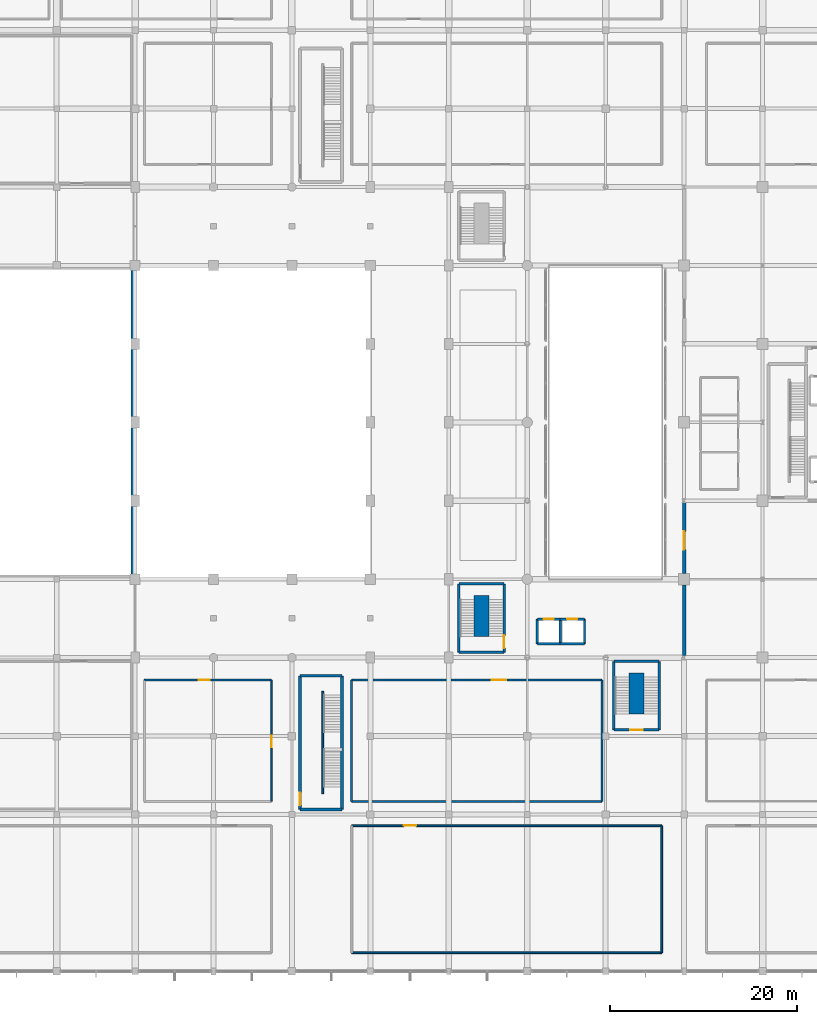
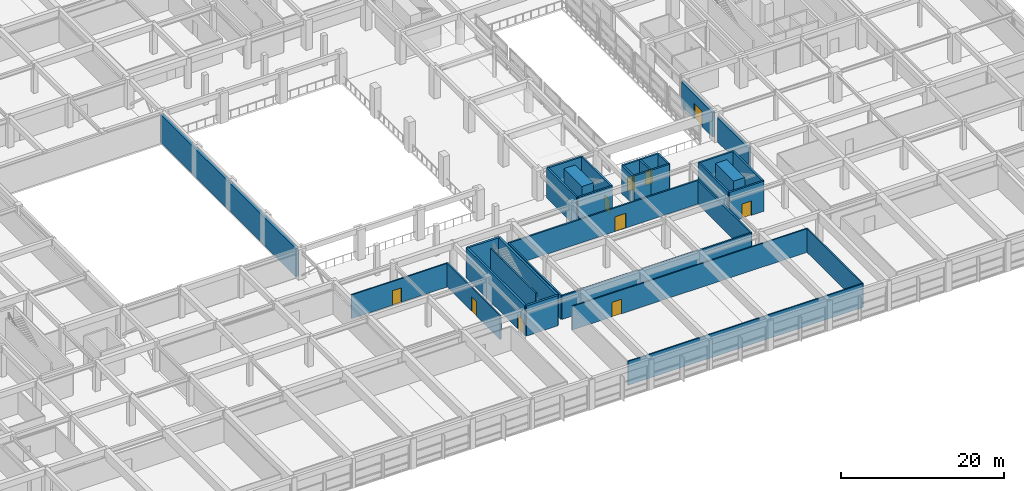
# One storey, part 52 of 65: 34 walls, 10 doors, 10 openings.
"""IFC4 building model written with IfcOpenShell, lengths in metres."""

from ifc_helpers import new_model, si_unit, direction, frame, frame_2d, origin, place, context, subcontext, project, spatial, rectangle, extrude, material, layer, layer_set, type_object, element, fill, save


model = new_model("IFC4")

# Units and contexts
model_context = context("Model", 3, precision=1e-05, world=origin(), true_north=direction((0.0, 1.0)))
body_context = subcontext(model_context, "Body", "Model", "MODEL_VIEW")
ifc_project = project(units=[si_unit("LENGTHUNIT", "METRE"), si_unit("AREAUNIT", "SQUARE_METRE"), si_unit("VOLUMEUNIT", "CUBIC_METRE"), si_unit("PLANEANGLEUNIT", "RADIAN"), si_unit("MASSUNIT", "GRAM", prefix="KILO")], contexts=[model_context])

# Site, building, storey
site_placement = place(None, origin())
site = spatial("IfcSite", under=ifc_project, at=site_placement, CompositionType="ELEMENT")
building_placement = place(site_placement, origin())
building = spatial("IfcBuilding", under=site, at=building_placement, Name="Xuanlan Plaza Opera House", CompositionType="ELEMENT")
storey_placement = place(building_placement, frame((0.0, 0.0, 5.39990234375)))
storey = spatial("IfcBuildingStorey", under=building, at=storey_placement, Name="L01", CompositionType="ELEMENT", Elevation=5.39990234375)

# Wall
ifc_material_1 = material(Name="Gypsum Board and Galvanised Steel Studs", Category="gypsum")
ifc_layer_1 = layer(ifc_material_1, 0.179931640625)
ifc_layer_set_1 = layer_set([ifc_layer_1], Name="Gypsum Board and Galvanised Steel Studs")
wall_type_1 = type_object("IfcWallType", Name="INT-WL-PW-02", PredefinedType="PARTITIONING", material=ifc_layer_set_1)
wall_1_placement = place(storey_placement, frame((90.39990234375, 2.0, 0.0), z_axis=(0.0, 0.0, 1.0), x_axis=(1.0, 0.0, 0.0)))
element("IfcWall", 1, at=wall_1_placement, inside=storey, type_object=wall_type_1, Name="Stage Drapery and Backdrop Store Wall South", PredefinedType="PARTITIONING", context=body_context, shape_type="SweptSolid", body=[
    extrude(rectangle(XDim=33.2001953125, YDim=0.179931640625, at=frame_2d((16.60009765625, 0.0))), origin(), (0.0, 0.0, 1.0), 3.5400390625),
])

# Wall, opening, door
wall_2_placement = place(storey_placement, frame((90.39990234375, 15.60009765625, 0.0), z_axis=(0.0, 0.0, 1.0), x_axis=(1.0, 0.0, 0.0)))
wall_2 = element("IfcWall", 2, at=wall_2_placement, inside=storey, type_object=wall_type_1, Name="Stage Drapery and Backdrop Store Wall North", PredefinedType="PARTITIONING", context=body_context, shape_type="SweptSolid", body=[
    extrude(rectangle(XDim=33.2001953125, YDim=0.179931640625, at=frame_2d((16.60009765625, 0.0))), origin(), (0.0, 0.0, 1.0), 3.5400390625),
])
opening_1_placement = place(wall_2_placement, frame((5.60009765625, 0.0, 0.0)))
opening_1 = element("IfcOpeningElement", 3, at=opening_1_placement, cuts=wall_2, Name="Opening D-07", PredefinedType="OPENING", context=body_context, shape_type="SweptSolid", body=[
    extrude(rectangle(XDim=1.320068359375, YDim=2.179931640625, at=frame_2d((0.66015625, 1.08984375))), frame((0.0, 0.099853515625, 0.0), z_axis=(0.0, -1.0, 0.0), x_axis=(1.0, 0.0, 0.0)), (0.0, 0.0, 1.0), 0.199951171875),
])
ifc_material_2 = material(Name="Walnut Hardwood Timber", Category="wood")
door_type_1 = type_object("IfcDoorType", Name="INT-DR-D-07", OperationType="NOTDEFINED", PredefinedType="DOOR", material=ifc_material_2)
door_1_placement = place(opening_1_placement, origin())
door_1 = element("IfcDoor", 4, at=door_1_placement, inside=storey, type_object=door_type_1, Name="Stage Drapery and Backdrop Store Door 1", OperationType="SINGLE_SWING_RIGHT", OverallHeight=2.179931640625, OverallWidth=1.320068359375, PredefinedType="DOOR", context=body_context, shape_type="SweptSolid", body=[
    extrude(rectangle(XDim=1.320068359375, YDim=2.179931640625, at=frame_2d((0.66015625, 1.08984375))), frame((0.0, 0.02490234375, 0.0), z_axis=(0.0, -1.0, 0.0), x_axis=(1.0, 0.0, 0.0)), (0.0, 0.0, 1.0), 0.050048828125),
])
fill(opening_1, door_1)

# Wall
wall_3_placement = place(storey_placement, frame((123.60009765625, 2.0, 0.0), z_axis=(0.0, 0.0, 1.0), x_axis=(0.0, 1.0, 0.0)))
element("IfcWall", 5, at=wall_3_placement, inside=storey, type_object=wall_type_1, Name="Stage Drapery and Backdrop Store Wall East", PredefinedType="PARTITIONING", context=body_context, shape_type="SweptSolid", body=[
    extrude(rectangle(XDim=13.60009765625, YDim=0.179931640625, at=frame_2d((6.800048828125, 0.0))), origin(), (0.0, 0.0, 1.0), 3.5400390625),
])

# Wall, opening, door
wall_4_placement = place(storey_placement, frame((68.199951171875, 31.199951171875, 0.0), z_axis=(0.0, 0.0, 1.0), x_axis=(1.0, 0.0, 0.0)))
wall_4 = element("IfcWall", 6, at=wall_4_placement, inside=storey, type_object=wall_type_1, Name="Make-up and Prosthetics Studio Wall North", PredefinedType="PARTITIONING", context=body_context, shape_type="SweptSolid", body=[
    extrude(rectangle(XDim=13.60009765625, YDim=0.179931640625, at=frame_2d((6.800048828125, 0.0))), origin(), (0.0, 0.0, 1.0), 3.5400390625),
])
opening_2_placement = place(wall_4_placement, frame((5.800048828125, 0.0, 0.0)))
opening_2 = element("IfcOpeningElement", 7, at=opening_2_placement, cuts=wall_4, Name="Opening D-05", PredefinedType="OPENING", context=body_context, shape_type="SweptSolid", body=[
    extrude(rectangle(XDim=1.219970703125, YDim=2.14990234375, at=frame_2d((0.60986328125, 1.074951171875))), frame((0.0, 0.099853515625, 0.0), z_axis=(0.0, -1.0, 0.0), x_axis=(1.0, 0.0, 0.0)), (0.0, 0.0, 1.0), 0.199951171875),
])
door_type_2 = type_object("IfcDoorType", Name="INT-DR-D-05", OperationType="NOTDEFINED", PredefinedType="DOOR", material=ifc_material_2)
door_2_placement = place(opening_2_placement, origin())
door_2 = element("IfcDoor", 8, at=door_2_placement, inside=storey, type_object=door_type_2, Name="Make-up and Prosthetics Studio Door 1", OperationType="SINGLE_SWING_RIGHT", OverallHeight=2.14990234375, OverallWidth=1.219970703125, PredefinedType="DOOR", context=body_context, shape_type="SweptSolid", body=[
    extrude(rectangle(XDim=1.219970703125, YDim=2.14990234375, at=frame_2d((0.60986328125, 1.074951171875))), frame((0.0, 0.02490234375, 0.0), z_axis=(0.0, -1.0, 0.0), x_axis=(1.0, 0.0, 0.0)), (0.0, 0.0, 1.0), 0.050048828125),
])
fill(opening_2, door_2)

wall_5_placement = place(storey_placement, frame((81.800048828125, 18.199951171875, 0.0), z_axis=(0.0, 0.0, 1.0), x_axis=(0.0, 1.0, 0.0)))
wall_5 = element("IfcWall", 9, at=wall_5_placement, inside=storey, type_object=wall_type_1, Name="Make-up and Prosthetics Studio Wall East", PredefinedType="PARTITIONING", context=body_context, shape_type="SweptSolid", body=[
    extrude(rectangle(XDim=13.0, YDim=0.179931640625, at=frame_2d((6.5, 0.0))), origin(), (0.0, 0.0, 1.0), 3.5400390625),
])
opening_3_placement = place(wall_5_placement, frame((5.800048828125, 0.0, 0.0)))
opening_3 = element("IfcOpeningElement", 10, at=opening_3_placement, cuts=wall_5, Name="Opening D-05", PredefinedType="OPENING", context=body_context, shape_type="SweptSolid", body=[
    extrude(rectangle(XDim=1.219970703125, YDim=2.14990234375, at=frame_2d((0.60986328125, 1.074951171875))), frame((0.0, 0.099853515625, 0.0), z_axis=(0.0, -1.0, 0.0), x_axis=(1.0, 0.0, 0.0)), (0.0, 0.0, 1.0), 0.199951171875),
])
door_3_placement = place(opening_3_placement, origin())
door_3 = element("IfcDoor", 11, at=door_3_placement, inside=storey, type_object=door_type_2, Name="Make-up and Prosthetics Studio Door 1", OperationType="SINGLE_SWING_RIGHT", OverallHeight=2.14990234375, OverallWidth=1.219970703125, PredefinedType="DOOR", context=body_context, shape_type="SweptSolid", body=[
    extrude(rectangle(XDim=1.219970703125, YDim=2.14990234375, at=frame_2d((0.60986328125, 1.074951171875))), frame((0.0, 0.02490234375, 0.0), z_axis=(0.0, -1.0, 0.0), x_axis=(1.0, 0.0, 0.0)), (0.0, 0.0, 1.0), 0.050048828125),
])
fill(opening_3, door_3)

# Wall
ifc_material_3 = material(Name="Autoclaved Aerated Blockwork Masonry", Category="masonry")
ifc_layer_2 = layer(ifc_material_3, 0.219970703125)
ifc_layer_set_2 = layer_set([ifc_layer_2], Name="Autoclaved Aerated Blockwork Masonry")
wall_type_2 = type_object("IfcWallType", Name="INT-WL-PW-06", PredefinedType="PARTITIONING", material=ifc_layer_set_2)
wall_6_placement = place(storey_placement, frame((90.39990234375, 18.199951171875, 0.0), z_axis=(0.0, 0.0, 1.0), x_axis=(1.0, 0.0, 0.0)))
element("IfcWall", 12, at=wall_6_placement, inside=storey, type_object=wall_type_2, Name="Opera Stage Management Office Wall South", PredefinedType="PARTITIONING", context=body_context, shape_type="SweptSolid", body=[
    extrude(rectangle(XDim=26.800048828125, YDim=0.219970703125, at=frame_2d((13.39990234375, 0.0))), origin(), (0.0, 0.0, 1.0), 3.5400390625),
])

# Wall, opening, door
wall_7_placement = place(storey_placement, frame((90.39990234375, 31.199951171875, 0.0), z_axis=(0.0, 0.0, 1.0), x_axis=(1.0, 0.0, 0.0)))
wall_7 = element("IfcWall", 13, at=wall_7_placement, inside=storey, type_object=wall_type_2, Name="Opera Stage Management Office Wall North", PredefinedType="PARTITIONING", context=body_context, shape_type="SweptSolid", body=[
    extrude(rectangle(XDim=26.800048828125, YDim=0.219970703125, at=frame_2d((13.39990234375, 0.0))), origin(), (0.0, 0.0, 1.0), 3.5400390625),
])
opening_4_placement = place(wall_7_placement, frame((15.0, 0.0, 0.0)))
opening_4 = element("IfcOpeningElement", 14, at=opening_4_placement, cuts=wall_7, Name="Opening D-13", PredefinedType="OPENING", context=body_context, shape_type="SweptSolid", body=[
    extrude(rectangle(XDim=1.56005859375, YDim=2.199951171875, at=frame_2d((0.780029296875, 1.10009765625))), frame((0.0, 0.119873046875, 0.0), z_axis=(0.0, -1.0, 0.0), x_axis=(1.0, 0.0, 0.0)), (0.0, 0.0, 1.0), 0.239990234375),
])
door_type_3 = type_object("IfcDoorType", Name="INT-DR-D-13", OperationType="DOUBLE_DOOR_SINGLE_SWING", PredefinedType="DOOR", material=ifc_material_2)
door_4_placement = place(opening_4_placement, origin())
door_4 = element("IfcDoor", 15, at=door_4_placement, inside=storey, type_object=door_type_3, Name="Opera Stage Management Office Door 1", OperationType="DOUBLE_DOOR_SINGLE_SWING", OverallHeight=2.199951171875, OverallWidth=1.56005859375, PredefinedType="DOOR", context=body_context, shape_type="SweptSolid", body=[
    extrude(rectangle(XDim=1.56005859375, YDim=2.199951171875, at=frame_2d((0.780029296875, 1.10009765625))), frame((0.0, 0.02490234375, 0.0), z_axis=(0.0, -1.0, 0.0), x_axis=(1.0, 0.0, 0.0)), (0.0, 0.0, 1.0), 0.050048828125),
])
fill(opening_4, door_4)

# Walls
for number, where, z_axis, x_axis, name in (
    (16, (90.39990234375, 18.199951171875, 0.0), (0.0, 0.0, 1.0), (0.0, 1.0, 0.0), "Opera Stage Management Office Wall West"),
    (17, (117.199951171875, 18.199951171875, 0.0), (0.0, 0.0, 1.0), (0.0, 1.0, 0.0), "Opera Stage Management Office Wall East"),
):
    element("IfcWall", number, at=place(storey_placement, frame(where, z_axis=z_axis, x_axis=x_axis)), inside=storey, type_object=wall_type_2, Name=name, PredefinedType="PARTITIONING", context=body_context, shape_type="SweptSolid", body=[
        extrude(rectangle(XDim=13.0, YDim=0.219970703125, at=frame_2d((6.5, 0.0))), origin(), (0.0, 0.0, 1.0), 3.5400390625),
    ])
ifc_material_4 = material(Name="Concrete C50", Category="concrete")
ifc_layer_3 = layer(ifc_material_4, 0.3798828125)
ifc_layer_set_3 = layer_set([ifc_layer_3], Name="Concrete C50")
wall_type_3 = type_object("IfcWallType", Name="INT-WL-SW-FW1", PredefinedType="SHEAR", material=ifc_layer_set_3)
wall_8_placement = place(storey_placement, frame((126.0, 33.806884765625, 0.0), z_axis=(0.0, 0.0, 1.0), x_axis=(0.0, 1.0, 0.0)))
element("IfcWall", 18, at=wall_8_placement, inside=storey, type_object=wall_type_3, Name="Opera-Tower Compartment Firewall L01-01", PredefinedType="SHEAR", context=body_context, shape_type="SweptSolid", body=[
    extrude(rectangle(XDim=7.593017578125, YDim=0.3798828125, at=frame_2d((3.79638671875, 0.0))), origin(), (0.0, 0.0, 1.0), 3.650146484375),
])

# Wall, opening, door
wall_9_placement = place(storey_placement, frame((126.0, 42.60009765625, 0.0), z_axis=(0.0, 0.0, 1.0), x_axis=(0.0, 1.0, 0.0)))
wall_9 = element("IfcWall", 19, at=wall_9_placement, inside=storey, type_object=wall_type_3, Name="Opera-Tower Compartment Firewall L01-02", PredefinedType="SHEAR", context=body_context, shape_type="SweptSolid", body=[
    extrude(rectangle(XDim=7.593017578125, YDim=0.3798828125, at=frame_2d((3.79638671875, 0.0))), origin(), (0.0, 0.0, 1.0), 3.650146484375),
])
opening_5_placement = place(wall_9_placement, frame((2.574951171875, 0.0, 0.0)))
opening_5 = element("IfcOpeningElement", 20, at=opening_5_placement, cuts=wall_9, Name="Opening FD-04", PredefinedType="OPENING", context=body_context, shape_type="SweptSolid", body=[
    extrude(rectangle(XDim=1.949951171875, YDim=2.300048828125, at=frame_2d((0.97509765625, 1.14990234375))), frame((0.0, 0.199951171875, 0.0), z_axis=(0.0, -1.0, 0.0), x_axis=(1.0, 0.0, 0.0)), (0.0, 0.0, 1.0), 0.39990234375),
])
ifc_material_5 = material(Name="Galvanised Steel Q235B", Category="steel")
door_type_4 = type_object("IfcDoorType", Name="INT-DR-FD-04", OperationType="DOUBLE_DOOR_SINGLE_SWING", PredefinedType="DOOR", material=ifc_material_5)
door_5_placement = place(opening_5_placement, origin())
door_5 = element("IfcDoor", 21, at=door_5_placement, inside=storey, type_object=door_type_4, Name="Compartment Firewall Door L01-02", OperationType="DOUBLE_DOOR_SINGLE_SWING", OverallHeight=2.300048828125, OverallWidth=1.949951171875, PredefinedType="DOOR", context=body_context, shape_type="SweptSolid", body=[
    extrude(rectangle(XDim=1.949951171875, YDim=2.300048828125, at=frame_2d((0.97509765625, 1.14990234375))), frame((0.0, 0.02490234375, 0.0), z_axis=(0.0, -1.0, 0.0), x_axis=(1.0, 0.0, 0.0)), (0.0, 0.0, 1.0), 0.050048828125),
])
fill(opening_5, door_5)

# Walls
wall_10_placement = place(storey_placement, frame((66.949951171875, 42.25, 0.0), z_axis=(0.0, 0.0, 1.0), x_axis=(0.0, 1.0, 0.0)))
element("IfcWall", 22, at=wall_10_placement, inside=storey, type_object=wall_type_3, Name="Proscenium and Fly Shaft Wall L01-E", PredefinedType="SHEAR", context=body_context, shape_type="SweptSolid", body=[
    extrude(rectangle(XDim=33.10009765625, YDim=0.3798828125, at=frame_2d((16.550048828125, 0.0))), origin(), (0.0, 0.0, 1.0), 4.2001953125),
])
ifc_material_6 = material(Name="Concrete C40", Category="concrete")
ifc_layer_4 = layer(ifc_material_6, 0.25)
ifc_layer_set_4 = layer_set([ifc_layer_4], Name="Concrete C40")
wall_type_4 = type_object("IfcWallType", Name="INT-WL-SW-LF1", PredefinedType="SHEAR", material=ifc_layer_set_4)
wall_11_placement = place(storey_placement, frame((110.27490234375, 35.074951171875, 0.0), z_axis=(0.0, 0.0, 1.0), x_axis=(1.0, 0.0, 0.0)))
element("IfcWall", 23, at=wall_11_placement, inside=storey, type_object=wall_type_4, Name="Lift Shaft Wall LF-OP1 L01 South", PredefinedType="SHEAR", context=body_context, shape_type="SweptSolid", body=[
    extrude(rectangle(XDim=2.4501953125, YDim=0.25, at=frame_2d((1.22509765625, 0.0))), origin(), (0.0, 0.0, 1.0), 4.239990234375),
])

# Wall, opening, door
wall_12_placement = place(storey_placement, frame((110.27490234375, 37.72509765625, 0.0), z_axis=(0.0, 0.0, 1.0), x_axis=(1.0, 0.0, 0.0)))
wall_12 = element("IfcWall", 24, at=wall_12_placement, inside=storey, type_object=wall_type_4, Name="Lift Shaft Wall LF-OP1 L01 North", PredefinedType="SHEAR", context=body_context, shape_type="SweptSolid", body=[
    extrude(rectangle(XDim=2.4501953125, YDim=0.25, at=frame_2d((1.22509765625, 0.0))), origin(), (0.0, 0.0, 1.0), 4.239990234375),
])
opening_6_placement = place(wall_12_placement, frame((0.675048828125, 0.0, 0.0)))
opening_6 = element("IfcOpeningElement", 25, at=opening_6_placement, cuts=wall_12, Name="Opening LD-OP1-L01", PredefinedType="OPENING", context=body_context, shape_type="SweptSolid", body=[
    extrude(rectangle(XDim=1.10009765625, YDim=2.14990234375, at=frame_2d((0.550048828125, 1.074951171875))), frame((0.0, 0.135009765625, 0.0), z_axis=(0.0, -1.0, 0.0), x_axis=(1.0, 0.0, 0.0)), (0.0, 0.0, 1.0), 0.27001953125),
])
ifc_material_7 = material(Name="Stainless Steel S30408", Category="steel")
door_type_5 = type_object("IfcDoorType", Name="INT-DR-LD-01", OperationType="DOUBLE_DOOR_SLIDING", PredefinedType="DOOR", material=ifc_material_7)
door_6_placement = place(opening_6_placement, origin())
door_6 = element("IfcDoor", 26, at=door_6_placement, inside=storey, type_object=door_type_5, Name="Lift Sliding Landing Door LF-OP1 L01", OperationType="DOUBLE_DOOR_SLIDING", OverallHeight=2.14990234375, OverallWidth=1.10009765625, PredefinedType="DOOR", context=body_context, shape_type="SweptSolid", body=[
    extrude(rectangle(XDim=1.10009765625, YDim=2.14990234375, at=frame_2d((0.550048828125, 1.074951171875))), frame((0.0, 0.02490234375, 0.0), z_axis=(0.0, -1.0, 0.0), x_axis=(1.0, 0.0, 0.0)), (0.0, 0.0, 1.0), 0.050048828125),
])
fill(opening_6, door_6)

# Walls
for number, where, z_axis, x_axis, name in (
    (27, (110.27490234375, 35.074951171875, 0.0), (0.0, 0.0, 1.0), (0.0, 1.0, 0.0), "Lift Shaft Wall LF-OP1 L01 West"),
    (28, (112.72509765625, 35.074951171875, 0.0), (0.0, 0.0, 1.0), (0.0, 1.0, 0.0), "Lift Shaft Wall LF-OP1 L01 East"),
):
    element("IfcWall", number, at=place(storey_placement, frame(where, z_axis=z_axis, x_axis=x_axis)), inside=storey, type_object=wall_type_4, Name=name, PredefinedType="SHEAR", context=body_context, shape_type="SweptSolid", body=[
        extrude(rectangle(XDim=2.650146484375, YDim=0.25, at=frame_2d((1.3251953125, 0.0))), origin(), (0.0, 0.0, 1.0), 4.239990234375),
    ])
wall_13_placement = place(storey_placement, frame((112.72509765625, 35.074951171875, 0.0), z_axis=(0.0, 0.0, 1.0), x_axis=(1.0, 0.0, 0.0)))
element("IfcWall", 29, at=wall_13_placement, inside=storey, type_object=wall_type_4, Name="Lift Shaft Wall LF-OP2 L01 South", PredefinedType="SHEAR", context=body_context, shape_type="SweptSolid", body=[
    extrude(rectangle(XDim=2.599853515625, YDim=0.25, at=frame_2d((1.2998046875, 0.0))), origin(), (0.0, 0.0, 1.0), 4.239990234375),
])

# Wall, opening, door
wall_14_placement = place(storey_placement, frame((112.72509765625, 37.72509765625, 0.0), z_axis=(0.0, 0.0, 1.0), x_axis=(1.0, 0.0, 0.0)))
wall_14 = element("IfcWall", 30, at=wall_14_placement, inside=storey, type_object=wall_type_4, Name="Lift Shaft Wall LF-OP2 L01 North", PredefinedType="SHEAR", context=body_context, shape_type="SweptSolid", body=[
    extrude(rectangle(XDim=2.599853515625, YDim=0.25, at=frame_2d((1.2998046875, 0.0))), origin(), (0.0, 0.0, 1.0), 4.239990234375),
])
opening_7_placement = place(wall_14_placement, frame((0.75, 0.0, 0.0)))
opening_7 = element("IfcOpeningElement", 31, at=opening_7_placement, cuts=wall_14, Name="Opening LD-OP2-L01", PredefinedType="OPENING", context=body_context, shape_type="SweptSolid", body=[
    extrude(rectangle(XDim=1.10009765625, YDim=2.14990234375, at=frame_2d((0.550048828125, 1.074951171875))), frame((0.0, 0.135009765625, 0.0), z_axis=(0.0, -1.0, 0.0), x_axis=(1.0, 0.0, 0.0)), (0.0, 0.0, 1.0), 0.27001953125),
])
door_7_placement = place(opening_7_placement, origin())
door_7 = element("IfcDoor", 32, at=door_7_placement, inside=storey, type_object=door_type_5, Name="Lift Sliding Landing Door LF-OP2 L01", OperationType="DOUBLE_DOOR_SLIDING", OverallHeight=2.14990234375, OverallWidth=1.10009765625, PredefinedType="DOOR", context=body_context, shape_type="SweptSolid", body=[
    extrude(rectangle(XDim=1.10009765625, YDim=2.14990234375, at=frame_2d((0.550048828125, 1.074951171875))), frame((0.0, 0.02490234375, 0.0), z_axis=(0.0, -1.0, 0.0), x_axis=(1.0, 0.0, 0.0)), (0.0, 0.0, 1.0), 0.050048828125),
])
fill(opening_7, door_7)

# Walls
wall_15_placement = place(storey_placement, frame((115.324951171875, 35.074951171875, 0.0), z_axis=(0.0, 0.0, 1.0), x_axis=(0.0, 1.0, 0.0)))
element("IfcWall", 33, at=wall_15_placement, inside=storey, type_object=wall_type_4, Name="Lift Shaft Wall LF-OP2 L01 East", PredefinedType="SHEAR", context=body_context, shape_type="SweptSolid", body=[
    extrude(rectangle(XDim=2.650146484375, YDim=0.25, at=frame_2d((1.3251953125, 0.0))), origin(), (0.0, 0.0, 1.0), 4.239990234375),
])
ifc_layer_5 = layer(ifc_material_4, 1.60009765625)
ifc_layer_set_5 = layer_set([ifc_layer_5], Name="Concrete C50")
wall_type_5 = type_object("IfcWallType", Name="INT-WL-SW-SP2", PredefinedType="SHEAR", material=ifc_layer_set_5)
wall_16_placement = place(storey_placement, frame((104.300048828125, 35.8798828125, 0.0), z_axis=(0.0, 0.0, 1.0), x_axis=(0.0, 1.0, 0.0)))
element("IfcWall", 34, at=wall_16_placement, inside=storey, type_object=wall_type_5, Name="Half-Turn Stair Structural Spine Wall ST-F1 L01", PredefinedType="SHEAR", context=body_context, shape_type="SweptSolid", body=[
    extrude(rectangle(XDim=4.400146484375, YDim=1.60009765625, at=frame_2d((2.2001953125, 0.0))), origin(), (0.0, 0.0, 1.0), 4.5),
])
wall_17_placement = place(storey_placement, frame((120.89990234375, 27.580078125, 0.0), z_axis=(0.0, 0.0, 1.0), x_axis=(0.0, 1.0, 0.0)))
element("IfcWall", 35, at=wall_17_placement, inside=storey, type_object=wall_type_5, Name="Half-Turn Stair Structural Spine Wall ST-F3 L01", PredefinedType="SHEAR", context=body_context, shape_type="SweptSolid", body=[
    extrude(rectangle(XDim=4.39990234375, YDim=1.60009765625, at=frame_2d((2.199951171875, 0.0))), origin(), (0.0, 0.0, 1.0), 4.5),
])
ifc_layer_6 = layer(ifc_material_6, 0.199951171875)
ifc_layer_set_6 = layer_set([ifc_layer_6], Name="Concrete C40")
wall_type_6 = type_object("IfcWallType", Name="INT-WL-SW-SPN", PredefinedType="SHEAR", material=ifc_layer_set_6)
wall_18_placement = place(storey_placement, frame((87.300048828125, 19.0, 0.0), z_axis=(0.0, 0.0, 1.0), x_axis=(0.0, 1.0, 0.0)))
element("IfcWall", 36, at=wall_18_placement, inside=storey, type_object=wall_type_6, Name="Stair Structural Spine Wall ST-P3 L01", PredefinedType="SHEAR", context=body_context, shape_type="SweptSolid", body=[
    extrude(rectangle(XDim=11.0, YDim=0.199951171875, at=frame_2d((5.5, 0.0))), origin(), (0.0, 0.0, 1.0), 4.5),
])
ifc_layer_7 = layer(ifc_material_6, 0.300048828125)
ifc_layer_set_7 = layer_set([ifc_layer_7], Name="Concrete C40")
wall_type_7 = type_object("IfcWallType", Name="INT-WL-SW-ST1", PredefinedType="SHEAR", material=ifc_layer_set_7)
for number, where, z_axis, x_axis, name in (
    (37, (84.85009765625, 17.35009765625, 0.0), (0.0, 0.0, 1.0), (1.0, 0.0, 0.0), "Stair Core Wall ST-P3 L01 South"),
    (38, (84.85009765625, 31.64990234375, 0.0), (0.0, 0.0, 1.0), (1.0, 0.0, 0.0), "Stair Core Wall ST-P3 L01 North"),
):
    element("IfcWall", number, at=place(storey_placement, frame(where, z_axis=z_axis, x_axis=x_axis)), inside=storey, type_object=wall_type_7, Name=name, PredefinedType="SHEAR", context=body_context, shape_type="SweptSolid", body=[
        extrude(rectangle(XDim=4.5, YDim=0.300048828125, at=frame_2d((2.25, 0.0))), origin(), (0.0, 0.0, 1.0), 4.5),
    ])

# Wall, opening, door
wall_19_placement = place(storey_placement, frame((84.85009765625, 17.35009765625, 0.0), z_axis=(0.0, 0.0, 1.0), x_axis=(0.0, 1.0, 0.0)))
wall_19 = element("IfcWall", 39, at=wall_19_placement, inside=storey, type_object=wall_type_7, Name="Stair Core Wall ST-P3 L01 West", PredefinedType="SHEAR", context=body_context, shape_type="SweptSolid", body=[
    extrude(rectangle(XDim=14.2998046875, YDim=0.300048828125, at=frame_2d((7.14990234375, 0.0))), origin(), (0.0, 0.0, 1.0), 4.5),
])
opening_8_placement = place(wall_19_placement, frame((0.449951171875, 0.0, 0.0)))
opening_8 = element("IfcOpeningElement", 40, at=opening_8_placement, cuts=wall_19, Name="Opening FD-ST2", PredefinedType="OPENING", context=body_context, shape_type="SweptSolid", body=[
    extrude(rectangle(XDim=1.35009765625, YDim=2.14990234375, at=frame_2d((0.675048828125, 1.074951171875))), frame((0.0, 0.159912109375, 0.0), z_axis=(0.0, -1.0, 0.0), x_axis=(1.0, 0.0, 0.0)), (0.0, 0.0, 1.0), 0.320068359375),
])
door_type_6 = type_object("IfcDoorType", Name="INT-DR-FD-ST2", OperationType="NOTDEFINED", PredefinedType="DOOR", material=ifc_material_5)
door_8_placement = place(opening_8_placement, frame((1.35009765625, 0.0, 0.0), z_axis=(0.0, 0.0, 1.0), x_axis=(-1.0, 0.0, 0.0)))
door_8 = element("IfcDoor", 41, at=door_8_placement, inside=storey, type_object=door_type_6, Name="Stair Enclosure Fire Door ST-P3 L01", OperationType="SINGLE_SWING_LEFT", OverallHeight=2.14990234375, OverallWidth=1.35009765625, PredefinedType="DOOR", context=body_context, shape_type="SweptSolid", body=[
    extrude(rectangle(XDim=1.35009765625, YDim=2.14990234375, at=frame_2d((0.675048828125, 1.074951171875))), frame((0.0, 0.02490234375, 0.0), z_axis=(0.0, -1.0, 0.0), x_axis=(1.0, 0.0, 0.0)), (0.0, 0.0, 1.0), 0.050048828125),
])
fill(opening_8, door_8)

# Walls
wall_20_placement = place(storey_placement, frame((89.35009765625, 17.35009765625, 0.0), z_axis=(0.0, 0.0, 1.0), x_axis=(0.0, 1.0, 0.0)))
element("IfcWall", 42, at=wall_20_placement, inside=storey, type_object=wall_type_7, Name="Stair Core Wall ST-P3 L01 East", PredefinedType="SHEAR", context=body_context, shape_type="SweptSolid", body=[
    extrude(rectangle(XDim=14.2998046875, YDim=0.300048828125, at=frame_2d((7.14990234375, 0.0))), origin(), (0.0, 0.0, 1.0), 4.5),
])
ifc_layer_8 = layer(ifc_material_6, 0.25)
ifc_layer_set_8 = layer_set([ifc_layer_8], Name="Concrete C40")
wall_type_8 = type_object("IfcWallType", Name="INT-WL-SW-ST2", PredefinedType="SHEAR", material=ifc_layer_set_8)
for number, where, z_axis, x_axis, name in (
    (43, (101.875, 34.175048828125, 0.0), (0.0, 0.0, 1.0), (1.0, 0.0, 0.0), "Stair Core Wall ST-F1 L01 South"),
    (44, (101.875, 41.5048828125, 0.0), (0.0, 0.0, 1.0), (1.0, 0.0, 0.0), "Stair Core Wall ST-F1 L01 North"),
):
    element("IfcWall", number, at=place(storey_placement, frame(where, z_axis=z_axis, x_axis=x_axis)), inside=storey, type_object=wall_type_8, Name=name, PredefinedType="SHEAR", context=body_context, shape_type="SweptSolid", body=[
        extrude(rectangle(XDim=4.85009765625, YDim=0.25, at=frame_2d((2.425048828125, 0.0))), origin(), (0.0, 0.0, 1.0), 4.5),
    ])
wall_21_placement = place(storey_placement, frame((101.875, 34.175048828125, 0.0), z_axis=(0.0, 0.0, 1.0), x_axis=(0.0, 1.0, 0.0)))
element("IfcWall", 45, at=wall_21_placement, inside=storey, type_object=wall_type_8, Name="Stair Core Wall ST-F1 L01 West", PredefinedType="SHEAR", context=body_context, shape_type="SweptSolid", body=[
    extrude(rectangle(XDim=7.329833984375, YDim=0.25, at=frame_2d((3.6650390625, 0.0))), origin(), (0.0, 0.0, 1.0), 4.5),
])

# Wall, opening, door
wall_22_placement = place(storey_placement, frame((106.72509765625, 34.175048828125, 0.0), z_axis=(0.0, 0.0, 1.0), x_axis=(0.0, 1.0, 0.0)))
wall_22 = element("IfcWall", 46, at=wall_22_placement, inside=storey, type_object=wall_type_8, Name="Stair Core Wall ST-F1 L01 East", PredefinedType="SHEAR", context=body_context, shape_type="SweptSolid", body=[
    extrude(rectangle(XDim=7.329833984375, YDim=0.25, at=frame_2d((3.6650390625, 0.0))), origin(), (0.0, 0.0, 1.0), 4.5),
])
opening_9_placement = place(wall_22_placement, frame((0.449951171875, 0.0, 0.0)))
opening_9 = element("IfcOpeningElement", 47, at=opening_9_placement, cuts=wall_22, Name="Opening FD-ST2", PredefinedType="OPENING", context=body_context, shape_type="SweptSolid", body=[
    extrude(rectangle(XDim=1.35009765625, YDim=2.14990234375, at=frame_2d((0.675048828125, 1.074951171875))), frame((0.0, 0.135009765625, 0.0), z_axis=(0.0, -1.0, 0.0), x_axis=(1.0, 0.0, 0.0)), (0.0, 0.0, 1.0), 0.27001953125),
])
door_9_placement = place(opening_9_placement, origin())
door_9 = element("IfcDoor", 48, at=door_9_placement, inside=storey, type_object=door_type_6, Name="Stair Enclosure Fire Door ST-F1 L01", OperationType="SINGLE_SWING_LEFT", OverallHeight=2.14990234375, OverallWidth=1.35009765625, PredefinedType="DOOR", context=body_context, shape_type="SweptSolid", body=[
    extrude(rectangle(XDim=1.35009765625, YDim=2.14990234375, at=frame_2d((0.675048828125, 1.074951171875))), frame((0.0, 0.02490234375, 0.0), z_axis=(0.0, -1.0, 0.0), x_axis=(1.0, 0.0, 0.0)), (0.0, 0.0, 1.0), 0.050048828125),
])
fill(opening_9, door_9)

wall_23_placement = place(storey_placement, frame((118.47509765625, 25.875, 0.0), z_axis=(0.0, 0.0, 1.0), x_axis=(1.0, 0.0, 0.0)))
wall_23 = element("IfcWall", 49, at=wall_23_placement, inside=storey, type_object=wall_type_8, Name="Stair Core Wall ST-F3 L01 South", PredefinedType="SHEAR", context=body_context, shape_type="SweptSolid", body=[
    extrude(rectangle(XDim=4.849853515625, YDim=0.25, at=frame_2d((2.4248046875, 0.0))), origin(), (0.0, 0.0, 1.0), 4.5),
])
opening_10_placement = place(wall_23_placement, frame((1.75, 0.0, 0.0)))
opening_10 = element("IfcOpeningElement", 50, at=opening_10_placement, cuts=wall_23, Name="Opening FD-ST2", PredefinedType="OPENING", context=body_context, shape_type="SweptSolid", body=[
    extrude(rectangle(XDim=1.35009765625, YDim=2.14990234375, at=frame_2d((0.675048828125, 1.074951171875))), frame((0.0, 0.135009765625, 0.0), z_axis=(0.0, -1.0, 0.0), x_axis=(1.0, 0.0, 0.0)), (0.0, 0.0, 1.0), 0.27001953125),
])
door_10_placement = place(opening_10_placement, origin())
door_10 = element("IfcDoor", 51, at=door_10_placement, inside=storey, type_object=door_type_6, Name="Stair Enclosure Fire Door ST-F3 L01", OperationType="SINGLE_SWING_RIGHT", OverallHeight=2.14990234375, OverallWidth=1.35009765625, PredefinedType="DOOR", context=body_context, shape_type="SweptSolid", body=[
    extrude(rectangle(XDim=1.35009765625, YDim=2.14990234375, at=frame_2d((0.675048828125, 1.074951171875))), frame((0.0, 0.02490234375, 0.0), z_axis=(0.0, -1.0, 0.0), x_axis=(1.0, 0.0, 0.0)), (0.0, 0.0, 1.0), 0.050048828125),
])
fill(opening_10, door_10)

# Walls
wall_24_placement = place(storey_placement, frame((118.47509765625, 33.205078125, 0.0), z_axis=(0.0, 0.0, 1.0), x_axis=(1.0, 0.0, 0.0)))
element("IfcWall", 52, at=wall_24_placement, inside=storey, type_object=wall_type_8, Name="Stair Core Wall ST-F3 L01 North", PredefinedType="SHEAR", context=body_context, shape_type="SweptSolid", body=[
    extrude(rectangle(XDim=4.849853515625, YDim=0.25, at=frame_2d((2.4248046875, 0.0))), origin(), (0.0, 0.0, 1.0), 4.5),
])
for number, where, z_axis, x_axis, name in (
    (53, (118.47509765625, 25.875, 0.0), (0.0, 0.0, 1.0), (0.0, 1.0, 0.0), "Stair Core Wall ST-F3 L01 West"),
    (54, (123.324951171875, 25.875, 0.0), (0.0, 0.0, 1.0), (0.0, 1.0, 0.0), "Stair Core Wall ST-F3 L01 East"),
):
    element("IfcWall", number, at=place(storey_placement, frame(where, z_axis=z_axis, x_axis=x_axis)), inside=storey, type_object=wall_type_8, Name=name, PredefinedType="SHEAR", context=body_context, shape_type="SweptSolid", body=[
        extrude(rectangle(XDim=7.330078125, YDim=0.25, at=frame_2d((3.6650390625, 0.0))), origin(), (0.0, 0.0, 1.0), 4.5),
    ])

save(model, "model.ifc")
